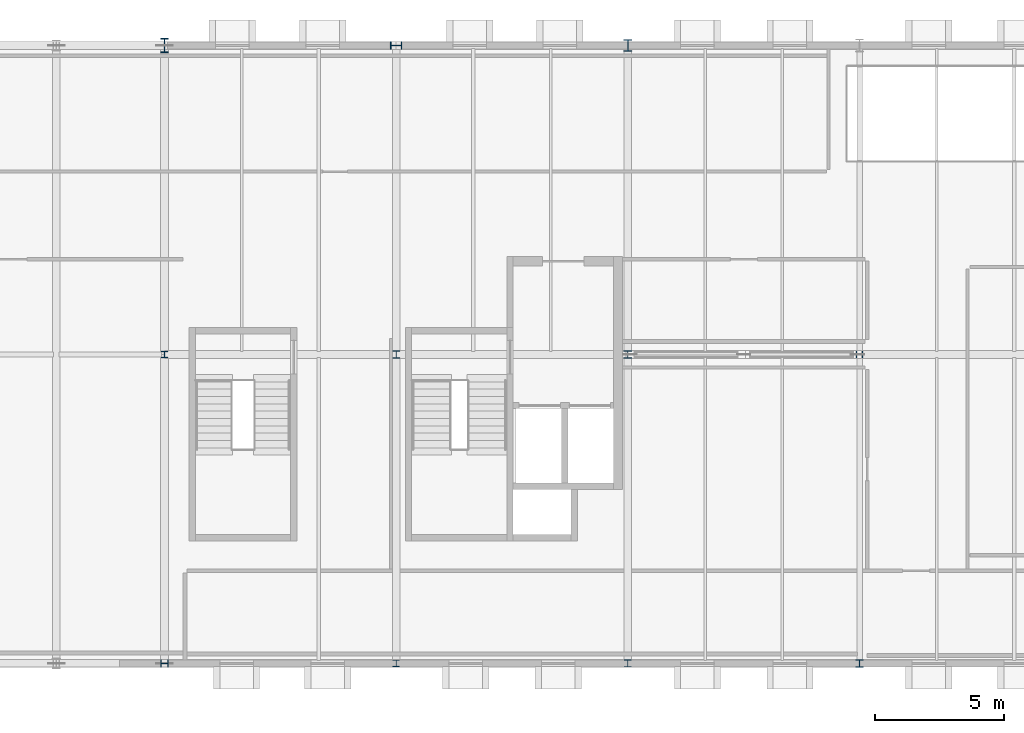
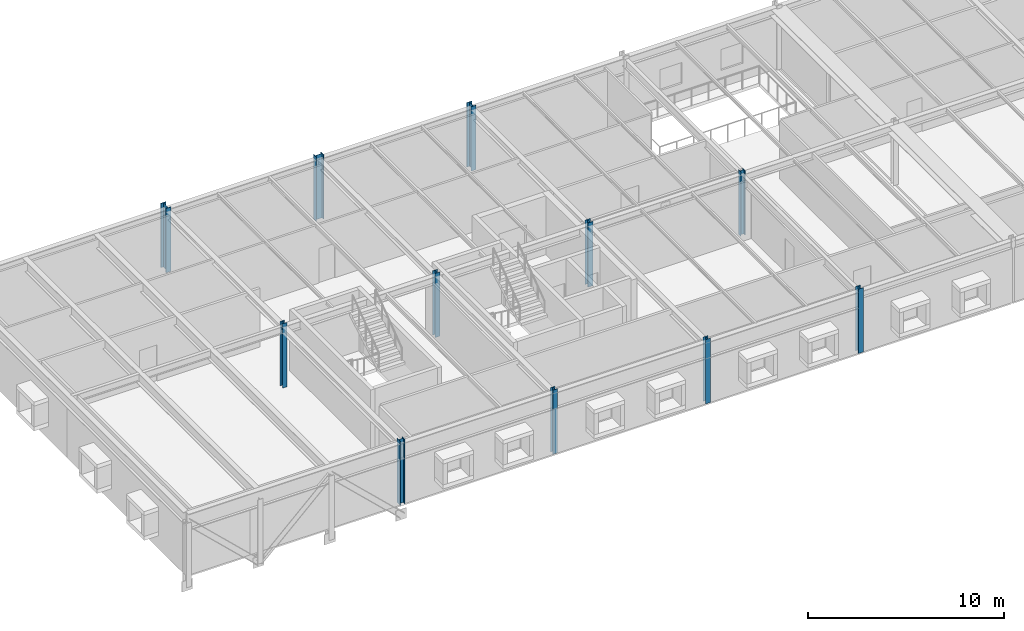
# One storey, part 1 of 17: 11 columns.
"""IFC4 building model written with IfcOpenShell, lengths in metres."""

from ifc_helpers import new_model, si_unit, direction, frame, origin, origin_2d, place, context, subcontext, project, spatial, i_section, extrude, material, material_profile, profile_set, type_object, element, save


model = new_model("IFC4")

# Units and contexts
model_context = context("Model", 3, precision=1e-05, world=origin(), true_north=direction((0.0, 1.0)))
body_context = subcontext(model_context, "Body", "Model", "MODEL_VIEW")
ifc_project = project(units=[si_unit("LENGTHUNIT", "METRE"), si_unit("AREAUNIT", "SQUARE_METRE"), si_unit("VOLUMEUNIT", "CUBIC_METRE"), si_unit("PLANEANGLEUNIT", "RADIAN"), si_unit("MASSUNIT", "GRAM", prefix="KILO")], contexts=[model_context])

# Site, building, storey
site_placement = place(None, origin())
site = spatial("IfcSite", under=ifc_project, at=site_placement, CompositionType="ELEMENT")
building_placement = place(site_placement, origin())
building = spatial("IfcBuilding", under=site, at=building_placement, Name="Montelvaro Courts of Justice", CompositionType="ELEMENT")
storey_placement = place(building_placement, frame((0.0, 0.0, 31.39990234375)))
storey = spatial("IfcBuildingStorey", under=building, at=storey_placement, Name="L07", CompositionType="ELEMENT", Elevation=31.39990234375)

# Columns
ifc_material = material(Name="Steel S355", Category="steel")
ifc_material_profile_1 = material_profile(ifc_material, i_section(OverallWidth=0.260009765625, OverallDepth=0.260009765625, WebThickness=0.010009765625, FlangeThickness=0.017578125, at=origin_2d()), Name="HEB 260")
ifc_profile_set_1 = profile_set([ifc_material_profile_1], Name="Steel S355")
column_type_1 = type_object("IfcColumnType", Name="Col_HEB260", PredefinedType="COLUMN", material=ifc_profile_set_1)
for number, where, z_axis, x_axis, name in (
    (1, (45.0, 12.0, 0.0), (0.0, 0.0, 1.0), (1.0, 0.0, 0.0), "Column C-01 L07 6/B"),
    (2, (54.0, 0.0, 0.0), (0.0, 0.0, 1.0), (1.0, 0.0, 0.0), "Column C-01 L07 7/A"),
    (3, (72.0, 12.0, 0.0), (0.0, 0.0, 1.0), (0.0, 1.0, 0.0), "Column C-01 L07 9/B"),
):
    element("IfcColumn", number, at=place(storey_placement, frame(where, z_axis=z_axis, x_axis=x_axis)), inside=storey, type_object=column_type_1, Name=name, PredefinedType="COLUMN", context=body_context, shape_type="SweptSolid", body=[
        extrude(i_section(OverallWidth=0.260009765625, OverallDepth=0.260009765625, WebThickness=0.010009765625, FlangeThickness=0.017578125, at=origin_2d()), origin(), (0.0, 0.0, 1.0), 4.0),
    ])
ifc_material_profile_2 = material_profile(ifc_material, i_section(OverallWidth=0.280029296875, OverallDepth=0.280029296875, WebThickness=0.010498046875, FlangeThickness=0.01806640625, at=origin_2d()), Name="HEB 280")
ifc_profile_set_2 = profile_set([ifc_material_profile_2], Name="Steel S355")
column_type_2 = type_object("IfcColumnType", Name="Col_HEB280", PredefinedType="COLUMN", material=ifc_profile_set_2)
for number, where, z_axis, x_axis, name in (
    (4, (54.0, 12.0, 0.0), (0.0, 0.0, 1.0), (1.0, 0.0, 0.0), "Column C-02 L07 7/B"),
    (5, (63.0, 0.0, 0.0), (0.0, 0.0, 1.0), (1.0, 0.0, 0.0), "Column C-02 L07 8/A"),
):
    element("IfcColumn", number, at=place(storey_placement, frame(where, z_axis=z_axis, x_axis=x_axis)), inside=storey, type_object=column_type_2, Name=name, PredefinedType="COLUMN", context=body_context, shape_type="SweptSolid", body=[
        extrude(i_section(OverallWidth=0.280029296875, OverallDepth=0.280029296875, WebThickness=0.010498046875, FlangeThickness=0.01806640625, at=origin_2d()), origin(), (0.0, 0.0, 1.0), 4.0),
    ])
ifc_material_profile_3 = material_profile(ifc_material, i_section(OverallWidth=0.300048828125, OverallDepth=0.300048828125, WebThickness=0.010986328125, FlangeThickness=0.01904296875, at=origin_2d()), Name="HEB 300")
ifc_profile_set_3 = profile_set([ifc_material_profile_3], Name="Steel S355")
column_type_3 = type_object("IfcColumnType", Name="Col_HEB300", PredefinedType="COLUMN", material=ifc_profile_set_3)
for number, where, z_axis, x_axis, name in (
    (6, (45.0, 0.0, 0.0), (0.0, 0.0, 1.0), (0.0, 1.0, 0.0), "Column C-03 L07 6/A"),
    (7, (63.0, 12.0, 0.0), (0.0, 0.0, 1.0), (1.0, 0.0, 0.0), "Column C-03 L07 8/B"),
    (8, (72.0, 0.0, 0.0), (0.0, 0.0, 1.0), (1.0, 0.0, 0.0), "Column C-03 L07 9/A"),
):
    element("IfcColumn", number, at=place(storey_placement, frame(where, z_axis=z_axis, x_axis=x_axis)), inside=storey, type_object=column_type_3, Name=name, PredefinedType="COLUMN", context=body_context, shape_type="SweptSolid", body=[
        extrude(i_section(OverallWidth=0.300048828125, OverallDepth=0.300048828125, WebThickness=0.010986328125, FlangeThickness=0.01904296875, at=origin_2d()), origin(), (0.0, 0.0, 1.0), 4.0),
    ])
ifc_material_profile_4 = material_profile(ifc_material, i_section(OverallWidth=0.300048828125, OverallDepth=0.449951171875, WebThickness=0.013916015625, FlangeThickness=0.02587890625, at=origin_2d()), Name="HEB 450")
ifc_profile_set_4 = profile_set([ifc_material_profile_4], Name="Steel S355")
column_type_4 = type_object("IfcColumnType", Name="Col_HEB450", PredefinedType="COLUMN", material=ifc_profile_set_4)
for number, where, z_axis, x_axis, name in (
    (9, (54.0, 24.0, 0.0), (0.0, 0.0, 1.0), (0.0, 1.0, 0.0), "Column C-08 L07 7/C"),
    (10, (63.0, 24.0, 0.0), (0.0, 0.0, 1.0), (1.0, 0.0, 0.0), "Column C-08 L07 8/C"),
):
    element("IfcColumn", number, at=place(storey_placement, frame(where, z_axis=z_axis, x_axis=x_axis)), inside=storey, type_object=column_type_4, Name=name, PredefinedType="COLUMN", context=body_context, shape_type="SweptSolid", body=[
        extrude(i_section(OverallWidth=0.300048828125, OverallDepth=0.449951171875, WebThickness=0.013916015625, FlangeThickness=0.02587890625, at=origin_2d()), origin(), (0.0, 0.0, 1.0), 4.0),
    ])
ifc_material_profile_5 = material_profile(ifc_material, i_section(OverallWidth=0.300048828125, OverallDepth=0.550048828125, WebThickness=0.014892578125, FlangeThickness=0.029052734375, at=origin_2d()), Name="HEB 550")
ifc_profile_set_5 = profile_set([ifc_material_profile_5], Name="Steel S355")
column_type_5 = type_object("IfcColumnType", Name="Col_HEB550", PredefinedType="COLUMN", material=ifc_profile_set_5)
column_placement = place(storey_placement, frame((45.0, 24.0, 0.0), z_axis=(0.0, 0.0, 1.0), x_axis=(1.0, 0.0, 0.0)))
element("IfcColumn", 11, at=column_placement, inside=storey, type_object=column_type_5, Name="Column C-10 L07 6/C", PredefinedType="COLUMN", context=body_context, shape_type="SweptSolid", body=[
    extrude(i_section(OverallWidth=0.300048828125, OverallDepth=0.550048828125, WebThickness=0.014892578125, FlangeThickness=0.029052734375, at=origin_2d()), origin(), (0.0, 0.0, 1.0), 4.0),
])

save(model, "model.ifc")
